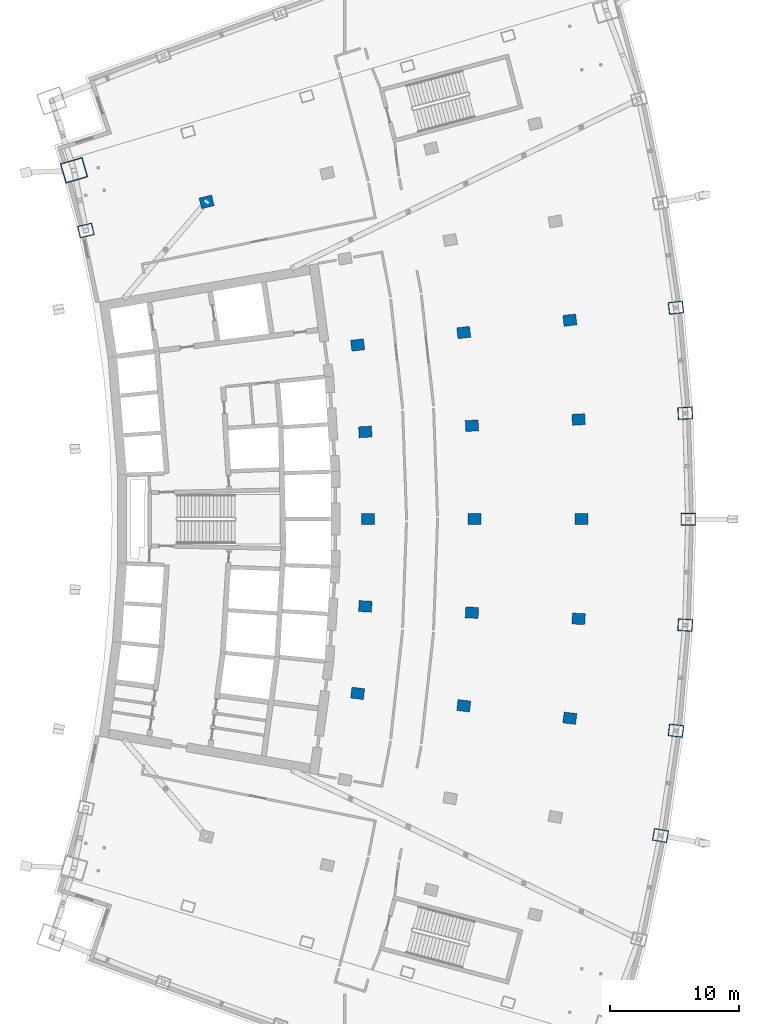
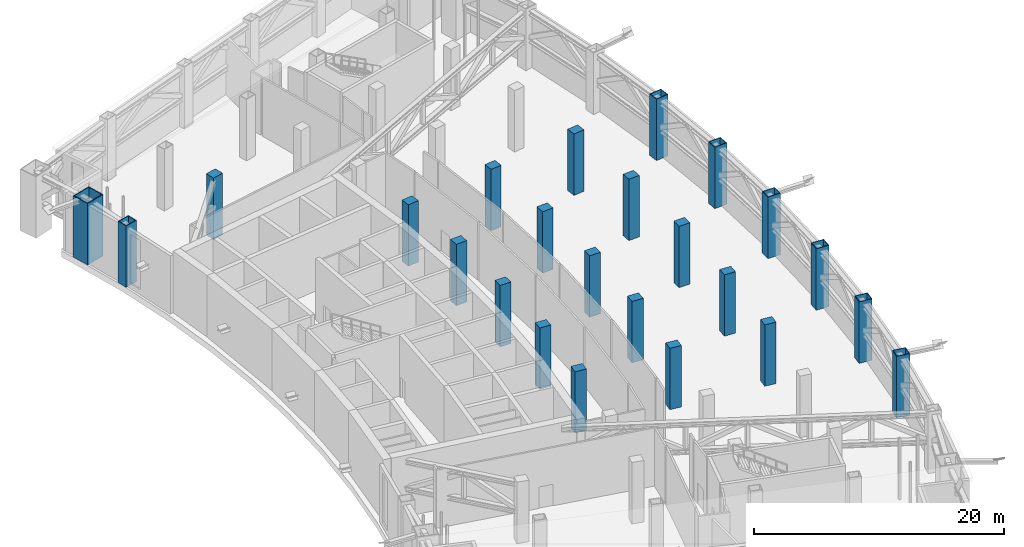
# One storey, part 5 of 26: 24 columns.
"""IFC4 building model written with IfcOpenShell, lengths in metres."""

from ifc_helpers import new_model, si_unit, direction, frame, origin, origin_2d, place, context, subcontext, project, spatial, rectangle, hollow_rectangle, extrude, material, material_profile, profile_set, type_object, element, save


model = new_model("IFC4")

# Units and contexts
model_context = context("Model", 3, precision=1e-05, world=origin(), true_north=direction((0.0, 1.0)))
body_context = subcontext(model_context, "Body", "Model", "MODEL_VIEW")
ifc_project = project(units=[si_unit("LENGTHUNIT", "METRE"), si_unit("AREAUNIT", "SQUARE_METRE"), si_unit("VOLUMEUNIT", "CUBIC_METRE"), si_unit("PLANEANGLEUNIT", "RADIAN"), si_unit("MASSUNIT", "GRAM", prefix="KILO")], contexts=[model_context])

# Site, building, storey
site_placement = place(None, origin())
site = spatial("IfcSite", under=ifc_project, at=site_placement, CompositionType="ELEMENT")
building_placement = place(site_placement, origin())
building = spatial("IfcBuilding", under=site, at=building_placement, Name="Alderwake Tower", CompositionType="ELEMENT")
storey_placement = place(building_placement, frame((0.0, 0.0, 132.800048828125)))
storey = spatial("IfcBuildingStorey", under=building, at=storey_placement, Name="L32", CompositionType="ELEMENT", Elevation=132.800048828125)

# Columns
ifc_material_1 = material(Name="Concrete C70/85", Category="concrete")
ifc_material_profile_1 = material_profile(ifc_material_1, rectangle(XDim=0.85009765625, YDim=1.0, at=origin_2d()), Name="RC 1000X850")
ifc_profile_set_1 = profile_set([ifc_material_profile_1], Name="Concrete C70/85")
column_type_1 = type_object("IfcColumnType", Name="Interior column Z2", PredefinedType="COLUMN", material=ifc_profile_set_1)
for number, where, z_axis, x_axis, name in (
    (1, (35.0126953125, 47.5205078125, 0.0), (0.0, 0.0, 1.0), (0.116402054316, 0.993202175668, 0.0), "Column R05-C2"),
    (2, (43.223388671875, 46.558349609375, 0.0), (0.0, 0.0, 1.0), (0.116402054316, 0.993202175668, 0.0), "Column R05-C3"),
    (3, (51.43359375, 45.59619140625, 0.0), (0.0, 0.0, 1.0), (0.116402054316, 0.993202175668, 0.0), "Column R05-C4"),
    (4, (35.60302734375, 54.248779296875, 0.0), (0.0, 0.0, 1.0), (0.058301061284, 0.998299046505, 0.0), "Column R06-C2"),
    (5, (43.855712890625, 53.766845703125, 0.0), (0.0, 0.0, 1.0), (0.058299318924, 0.998299148258, 0.0), "Column R06-C3"),
    (6, (52.108154296875, 53.284912109375, 0.0), (0.0, 0.0, 1.0), (0.058301061284, 0.998299046505, 0.0), "Column R06-C4"),
    (7, (35.800048828125, 61.0, 0.0), (0.0, 0.0, 1.0), (0.0, 1.0, 0.0), "Column R07-C2"),
    (8, (44.066650390625, 61.0, 0.0), (0.0, 0.0, 1.0), (0.0, 1.0, 0.0), "Column R07-C3"),
    (9, (52.333251953125, 61.0, 0.0), (0.0, 0.0, 1.0), (0.0, 1.0, 0.0), "Column R07-C4"),
    (10, (35.60302734375, 67.751220703125, 0.0), (0.0, 0.0, 1.0), (-0.058301061284, 0.998299046505, 0.0), "Column R08-C2"),
    (11, (43.855712890625, 68.233154296875, 0.0), (0.0, 0.0, 1.0), (-0.058299318924, 0.998299148258, 0.0), "Column R08-C3"),
    (12, (52.108154296875, 68.715087890625, 0.0), (0.0, 0.0, 1.0), (-0.058301061284, 0.998299046505, 0.0), "Column R08-C4"),
    (13, (35.0126953125, 74.4794921875, 0.0), (0.0, 0.0, 1.0), (-0.116402054316, 0.993202175668, 0.0), "Column R09-C2"),
    (14, (43.223388671875, 75.441650390625, 0.0), (0.0, 0.0, 1.0), (-0.116402054316, 0.993202175668, 0.0), "Column R09-C3"),
    (15, (51.43359375, 76.40380859375, 0.0), (0.0, 0.0, 1.0), (-0.116402054316, 0.993202175668, 0.0), "Column R09-C4"),
    (16, (23.322021484375, 85.555908203125, 0.0), (0.0, 0.0, 1.0), (-0.231221547198, 0.972901123502, 0.0), "Column R11-C1"),
):
    element("IfcColumn", number, at=place(storey_placement, frame(where, z_axis=z_axis, x_axis=x_axis)), inside=storey, type_object=column_type_1, Name=name, PredefinedType="COLUMN", context=body_context, shape_type="SweptSolid", body=[
        extrude(rectangle(XDim=0.85009765625, YDim=1.0, at=origin_2d()), origin(), (0.0, 0.0, 1.0), 6.0),
    ])
ifc_material_2 = material(Name="Steel ASTM A572 Grade 50 concrete filled C70/85", Category="concrete")
ifc_material_profile_2 = material_profile(ifc_material_2, hollow_rectangle(XDim=1.60009765625, YDim=1.800048828125, WallThickness=0.080078125, at=origin_2d()), Name="BOX 1800X1600X80")
ifc_profile_set_2 = profile_set([ifc_material_profile_2], Name="Steel ASTM A572 Grade 50 concrete filled C70/85")
column_type_2 = type_object("IfcColumnType", Name="Mega column Z3", PredefinedType="COLUMN", material=ifc_profile_set_2)
column_placement = place(storey_placement, frame((13.06298828125, 87.99755859375, 0.0), z_axis=(0.0, 0.0, 1.0), x_axis=(-0.278612301868, 0.960403657452, 0.0)))
element("IfcColumn", 17, at=column_placement, inside=storey, type_object=column_type_2, Name="Column R12-C0", PredefinedType="COLUMN", context=body_context, shape_type="SweptSolid", body=[
    extrude(hollow_rectangle(XDim=1.60009765625, YDim=1.800048828125, WallThickness=0.080078125, at=origin_2d()), origin(), (0.0, 0.0, 1.0), 6.0),
])
ifc_material_3 = material(Name="Steel ASTM A572 Grade 50 concrete filled C70/85", Category="concrete")
ifc_material_profile_3 = material_profile(ifc_material_3, hollow_rectangle(XDim=0.949951171875, YDim=1.14990234375, WallThickness=0.06005859375, at=origin_2d()), Name="BOX 1150X950X60")
ifc_profile_set_3 = profile_set([ifc_material_profile_3], Name="Steel ASTM A572 Grade 50 concrete filled C70/85")
column_type_3 = type_object("IfcColumnType", Name="Perimeter column Z2", PredefinedType="COLUMN", material=ifc_profile_set_3)
for number, where, z_axis, x_axis, name in (
    (18, (58.45263671875, 36.5205078125, 0.0), (0.0, 0.0, 1.0), (0.174108800747, 0.984726421654, 0.0), "Column R04-C5"),
    (19, (59.644287109375, 44.6337890625, 0.0), (0.0, 0.0, 1.0), (0.116402054316, 0.993202175668, 0.0), "Column R05-C5"),
    (20, (60.36083984375, 52.802978515625, 0.0), (0.0, 0.0, 1.0), (0.058299318924, 0.998299148258, 0.0), "Column R06-C5"),
    (21, (60.60009765625, 61.0, 0.0), (0.0, 0.0, 1.0), (0.0, 1.0, 0.0), "Column R07-C5"),
    (22, (60.36083984375, 69.197021484375, 0.0), (0.0, 0.0, 1.0), (-0.058299318924, 0.998299148258, 0.0), "Column R08-C5"),
    (23, (59.644287109375, 77.3662109375, 0.0), (0.0, 0.0, 1.0), (-0.116402054316, 0.993202175668, 0.0), "Column R09-C5"),
    (24, (13.982177734375, 83.3359375, 0.0), (0.0, 0.0, 1.0), (-0.231221547198, 0.972901123502, 0.0), "Column R11-C0"),
):
    element("IfcColumn", number, at=place(storey_placement, frame(where, z_axis=z_axis, x_axis=x_axis)), inside=storey, type_object=column_type_3, Name=name, PredefinedType="COLUMN", context=body_context, shape_type="SweptSolid", body=[
        extrude(hollow_rectangle(XDim=0.949951171875, YDim=1.14990234375, WallThickness=0.06005859375, at=origin_2d()), origin(), (0.0, 0.0, 1.0), 6.0),
    ])

save(model, "model.ifc")
